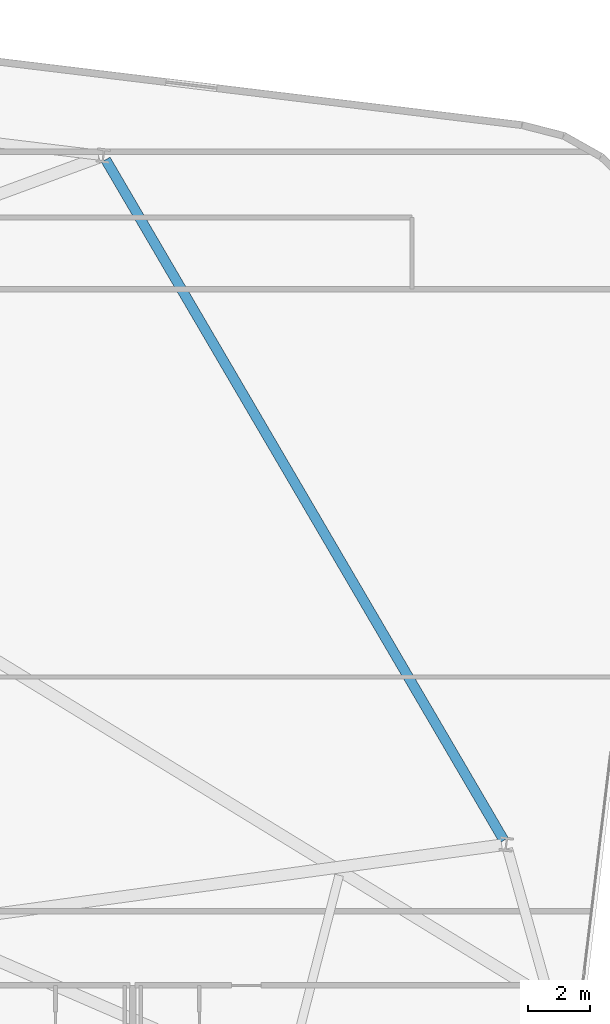
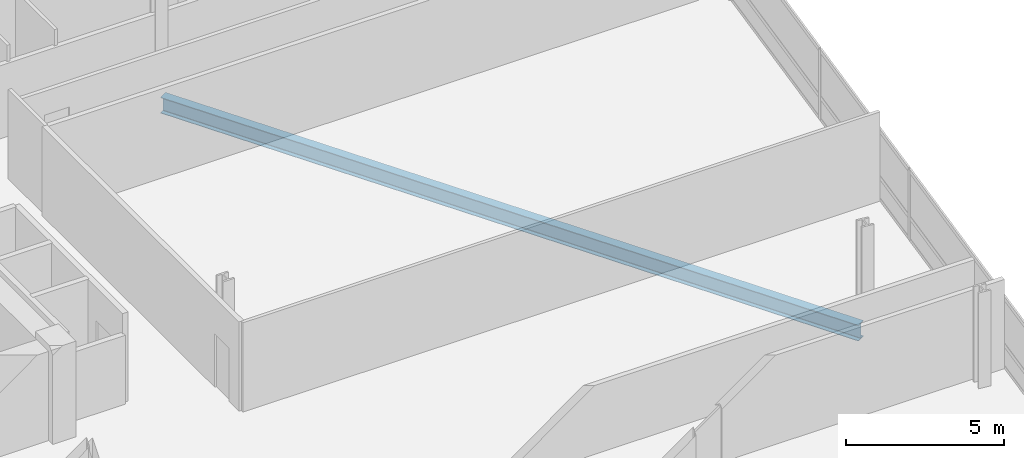
# One storey, part 17 of 26: 1 beam.
"""IFC4 building model written with IfcOpenShell, lengths in metres."""

import ifcopenshell
import ifcopenshell.guid

model = None  # the IFC model being written
_history = None  # IfcOwnerHistory: only IFC2X3 demands one
_inside = {}  # id of a spatial element -> (the spatial element, [elements in it])
_under = {}  # id of a project, library or spatial element -> (it, [spatial elements below it])
_declared = {}  # id of a project -> (the project, [libraries it declares])
_typed = {}  # id of a type object -> (the type object, [elements of that type])
_made_of = {}  # id of a material, layer set ... -> (it, [elements and type objects made of it])


def new_model(schema):
    """Start an empty IFC model of exactly this schema.

    Asked for "IFC4X3", IfcOpenShell would pick the latest addendum, in which some entities
    have other attributes; the version numbers below select the first issue.
    IFC2X3 requires an IfcOwnerHistory on every rooted entity: one is made here for all.
    """
    global model, _history
    if schema == "IFC4X3":
        model = ifcopenshell.file(schema_version=(4, 3, 0, 0))
    else:
        model = ifcopenshell.file(schema=schema)
    _inside.clear()
    _under.clear()
    _declared.clear()
    _typed.clear()
    _made_of.clear()
    _history = None
    if model.schema == "IFC2X3":
        org = make("IfcOrganization", Name="unknown")
        user = make(
            "IfcPersonAndOrganization",
            ThePerson=make("IfcPerson", FamilyName="unknown"),
            TheOrganization=org,
        )
        app = make(
            "IfcApplication",
            ApplicationDeveloper=org,
            Version="unknown",
            ApplicationFullName="unknown",
            ApplicationIdentifier="unknown",
        )
        _history = make(
            "IfcOwnerHistory",
            OwningUser=user,
            OwningApplication=app,
            ChangeAction="ADDED",
            CreationDate=0,
        )
    return model


def make(cls, **values):
    """One entity of the class cls with the attributes given. An attribute that is None is left unset."""
    return model.create_entity(
        cls, **{name: value for name, value in values.items() if value is not None}
    )


def rooted(cls, **values):
    """An entity with a GlobalId (a new one), such as an element, a storey or a relation."""
    return make(cls, GlobalId=ifcopenshell.guid.new(), OwnerHistory=_history, **values)


def si_unit(unit_type, name, prefix=None):
    """IfcSIUnit, for example si_unit("LENGTHUNIT", "METRE", prefix="MILLI")."""
    return make("IfcSIUnit", UnitType=unit_type, Prefix=prefix, Name=name)


def assignment(units):
    """IfcUnitAssignment: the units of a project."""
    return None if units is None else make("IfcUnitAssignment", Units=units)


def point(xyz):
    """IfcCartesianPoint."""
    return None if xyz is None else make("IfcCartesianPoint", Coordinates=xyz)


def direction(xyz):
    """IfcDirection."""
    return None if xyz is None else make("IfcDirection", DirectionRatios=xyz)


def frame(location, z_axis=None, x_axis=None):
    """IfcAxis2Placement3D, a coordinate frame: its origin and axes. An axis left out is left unset."""
    return make(
        "IfcAxis2Placement3D",
        Location=point(location),
        Axis=direction(z_axis),
        RefDirection=direction(x_axis),
    )


def frame_2d(location, x_axis=None):
    """IfcAxis2Placement2D, a coordinate frame in the plane: its origin and x axis."""
    return make(
        "IfcAxis2Placement2D", Location=point(location), RefDirection=direction(x_axis)
    )


def origin():
    """The frame at (0, 0, 0) with its axes left unset."""
    return frame((0.0, 0.0, 0.0))


def origin_2d():
    """The frame at (0, 0) in the plane with its x axis left unset."""
    return frame_2d((0.0, 0.0))


def place(relative_to, where):
    """IfcLocalPlacement: puts the frame where relative to a parent placement (None: the world)."""
    return make(
        "IfcLocalPlacement", PlacementRelTo=relative_to, RelativePlacement=where
    )


def context(
    kind, dimensions, precision=None, world=None, true_north=None, identifier=None
):
    """IfcGeometricRepresentationContext, for example the 3D "Model" context."""
    return make(
        "IfcGeometricRepresentationContext",
        ContextIdentifier=identifier,
        ContextType=kind,
        CoordinateSpaceDimension=dimensions,
        Precision=precision,
        WorldCoordinateSystem=world,
        TrueNorth=true_north,
    )


def subcontext(parent, identifier, kind, view, scale=None):
    """IfcGeometricRepresentationSubContext, for example "Body" below "Model"."""
    return make(
        "IfcGeometricRepresentationSubContext",
        ContextIdentifier=identifier,
        ContextType=kind,
        ParentContext=parent,
        TargetScale=scale,
        TargetView=view,
    )


def project(units=None, contexts=None):
    """IfcProject with its units and contexts."""
    return rooted(
        "IfcProject",
        Name="project",
        RepresentationContexts=contexts,
        UnitsInContext=assignment(units),
    )


def spatial(cls, under=None, at=None, **own):
    """A site, building, storey or space (cls), placed at a placement, below another one or the project."""
    s = rooted(cls, ObjectPlacement=at, **own)
    if under is not None:
        _under.setdefault(under.id(), (under, []))[1].append(s)
    return s


def profile(cls, at=None, kind="AREA", **sizes):
    """A parametric profile (cls). Its sizes go by their IFC names, for example OverallWidth=200.0."""
    return make(cls, ProfileType=kind, Position=at, **sizes)


def i_section(**sizes):
    """IfcIShapeProfileDef."""
    return profile("IfcIShapeProfileDef", **sizes)


def extrude(swept, where, along, depth):
    """IfcExtrudedAreaSolid: the profile swept, set in the frame where, extruded along a direction by depth."""
    return make(
        "IfcExtrudedAreaSolid",
        SweptArea=swept,
        Position=where,
        ExtrudedDirection=direction(along),
        Depth=depth,
    )


def shape(context_of_items, identifier, shape_type, items):
    """IfcShapeRepresentation: the items that make up one representation, for example the "Body"."""
    return make(
        "IfcShapeRepresentation",
        ContextOfItems=context_of_items,
        RepresentationIdentifier=identifier,
        RepresentationType=shape_type,
        Items=items,
    )


def material(Name=None, Category=None):
    """IfcMaterial."""
    return make("IfcMaterial", Name=Name, Category=Category)


def material_profile(
    of_material, cross_section, Name=None, Category=None, Priority=None
):
    """IfcMaterialProfile: a cross section and its material."""
    return make(
        "IfcMaterialProfile",
        Name=Name,
        Material=of_material,
        Profile=cross_section,
        Priority=Priority,
        Category=Category,
    )


def profile_set(profiles, Name=None, composite=None):
    """IfcMaterialProfileSet."""
    return make(
        "IfcMaterialProfileSet",
        Name=Name,
        MaterialProfiles=profiles,
        CompositeProfile=composite,
    )


def made_of(thing, what):
    """Note that an element or type object is made of a material, layer set ...; save() writes the relation."""
    if what is not None:
        _made_of.setdefault(what.id(), (what, []))[1].append(thing)
    return thing


def type_object(cls, material=None, **own):
    """A type object (cls), such as IfcWallType, which elements share."""
    return made_of(rooted(cls, **own), material)


def element(
    cls,
    number,
    at=None,
    inside=None,
    cuts=None,
    type_object=None,
    material=None,
    context=None,
    identifier="Body",
    shape_type=None,
    held_by="IfcProductDefinitionShape",
    body=None,
    shapes=None,
    **own,
):
    """One element of the class cls, such as IfcWall. Its Tag is "e" and its number.

    at: its placement. inside: the storey or other place that contains it. cuts: it is an
    opening in that element (IfcRelVoidsElement). A single representation is given by context,
    identifier, shape_type and body (its items); several are given by shapes. held_by: the class
    of the entity that holds the representations. save() writes the other relations.
    """
    e = rooted(cls, Tag="e%d" % number, ObjectPlacement=at, **own)
    if body is not None:
        shapes = [shape(context, identifier, shape_type, body)]
    if shapes is not None:
        e.Representation = make(held_by, Representations=shapes)
    if inside is not None:
        _inside.setdefault(inside.id(), (inside, []))[1].append(e)
    if cuts is not None:
        rooted(
            "IfcRelVoidsElement", RelatingBuildingElement=cuts, RelatedOpeningElement=e
        )
    if type_object is not None:
        _typed.setdefault(type_object.id(), (type_object, []))[1].append(e)
    return made_of(e, material)


def aggregate(whole, parts):
    """IfcRelAggregates: a whole, such as a stair, and the parts it consists of."""
    return rooted("IfcRelAggregates", RelatingObject=whole, RelatedObjects=parts)


def save(model, path):
    """Write the relations noted so far, then the file.

    IfcRelAggregates (storeys below a building ...), IfcRelContainedInSpatialStructure (elements
    in a storey), IfcRelDefinesByType, IfcRelAssociatesMaterial and IfcRelDeclares: one each for
    every whole, place, type object, material and project.
    """
    for whole, parts in _under.values():
        aggregate(whole, parts)
    for where, things in _inside.values():
        rooted(
            "IfcRelContainedInSpatialStructure",
            RelatedElements=things,
            RelatingStructure=where,
        )
    for kind, things in _typed.values():
        rooted("IfcRelDefinesByType", RelatedObjects=things, RelatingType=kind)
    for what, things in _made_of.values():
        rooted("IfcRelAssociatesMaterial", RelatedObjects=things, RelatingMaterial=what)
    for by, libraries in _declared.values():
        rooted("IfcRelDeclares", RelatingContext=by, RelatedDefinitions=libraries)
    model.write(path)


model = new_model("IFC4")

# Units and contexts
model_context = context("Model", 3, precision=1e-05, world=origin(), true_north=direction((0.0, 1.0)))
body_context = subcontext(model_context, "Body", "Model", "MODEL_VIEW")
ifc_project = project(units=[si_unit("LENGTHUNIT", "METRE"), si_unit("AREAUNIT", "SQUARE_METRE"), si_unit("VOLUMEUNIT", "CUBIC_METRE"), si_unit("PLANEANGLEUNIT", "RADIAN"), si_unit("MASSUNIT", "GRAM", prefix="KILO")], contexts=[model_context])

# Site, building, storey
site_placement = place(None, origin())
site = spatial("IfcSite", under=ifc_project, at=site_placement, CompositionType="ELEMENT")
building_placement = place(site_placement, origin())
building = spatial("IfcBuilding", under=site, at=building_placement, Name="Varnelok Gate Tower", CompositionType="ELEMENT")
storey_placement = place(building_placement, frame((0.0, 0.0, 151.300048828125)))
storey = spatial("IfcBuildingStorey", under=building, at=storey_placement, Name="L38", CompositionType="ELEMENT", Elevation=151.300048828125)

# Beam
ifc_material = material(Name="Structural Steel ASTM A992 Grade 50", Category="steel")
ifc_material_profile = material_profile(ifc_material, i_section(OverallWidth=0.323974609375, OverallDepth=0.611083984375, WebThickness=0.0126953125, FlangeThickness=0.01904296875, FilletRadius=0.01806640625, at=origin_2d()), Name="W24X104")
ifc_profile_set = profile_set([ifc_material_profile], Name="Structural Steel ASTM A992 Grade 50")
beam_type = type_object("IfcBeamType", Name="BM-SPN-W24X104", PredefinedType="SPANDREL", material=ifc_profile_set)
beam_placement = place(storey_placement, frame((72.96875, 21.528076171875, -0.5556640625), z_axis=(-0.504960797965, 0.863142278259, 0.0), x_axis=(-0.863142278259, -0.504960797965, 0.0)))
element("IfcBeam", 1, at=beam_placement, inside=storey, type_object=beam_type, Name="L38 Perimeter Spandrel Beam 8", PredefinedType="SPANDREL", context=body_context, shape_type="SweptSolid", body=[
    extrude(i_section(OverallWidth=0.323974609375, OverallDepth=0.611083984375, WebThickness=0.0126953125, FlangeThickness=0.01904296875, FilletRadius=0.01806640625, at=origin_2d()), origin(), (0.0, 0.0, 1.0), 25.425537109375),
])

save(model, "model.ifc")
